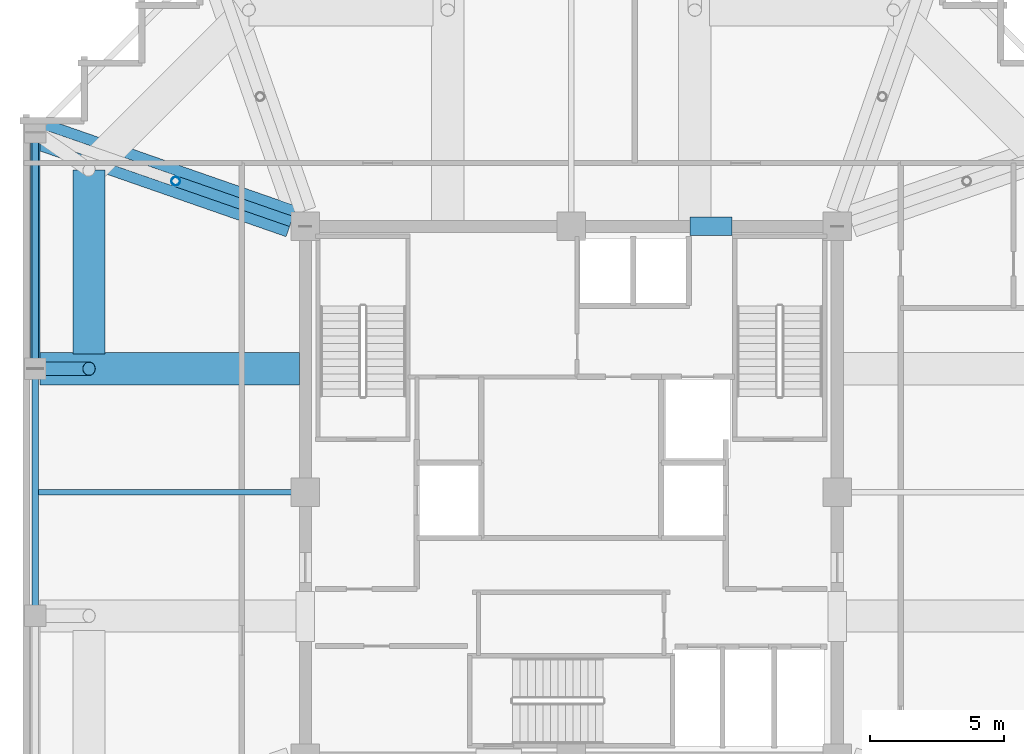
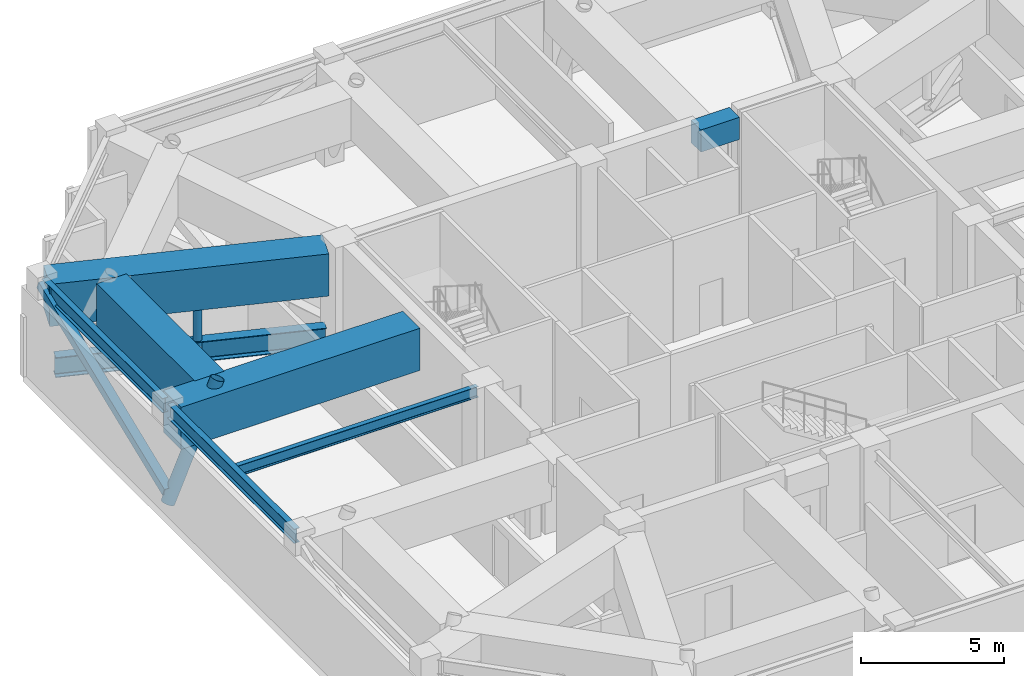
# One storey, part 4 of 14: 8 beams, 3 members.
"""IFC4 building model written with IfcOpenShell, lengths in metres."""

from ifc_helpers import new_model, si_unit, direction, frame, origin, origin_2d, place, context, subcontext, project, spatial, rectangle, hollow_rectangle, hollow_circle, i_section, extrude, material, material_profile, profile_set, type_object, element, save


model = new_model("IFC4")

# Units and contexts
model_context = context("Model", 3, precision=1e-05, world=origin(), true_north=direction((0.0, 1.0)))
body_context = subcontext(model_context, "Body", "Model", "MODEL_VIEW")
ifc_project = project(units=[si_unit("LENGTHUNIT", "METRE"), si_unit("AREAUNIT", "SQUARE_METRE"), si_unit("VOLUMEUNIT", "CUBIC_METRE"), si_unit("PLANEANGLEUNIT", "RADIAN"), si_unit("MASSUNIT", "GRAM", prefix="KILO")], contexts=[model_context])

# Site, building, storey
site_placement = place(None, origin())
site = spatial("IfcSite", under=ifc_project, at=site_placement, CompositionType="ELEMENT")
building_placement = place(site_placement, origin())
building = spatial("IfcBuilding", under=site, at=building_placement, Name="Kolvaren Belvedere", CompositionType="ELEMENT")
storey_placement = place(building_placement, frame((0.0, 0.0, 232.800048828125)))
storey = spatial("IfcBuildingStorey", under=building, at=storey_placement, Name="L68", CompositionType="ELEMENT", Elevation=232.800048828125)

# Beams
ifc_material_1 = material(Name="Structural steel ASTM A992 Grade 50", Category="steel")
ifc_material_profile_1 = material_profile(ifc_material_1, i_section(OverallWidth=0.39990234375, OverallDepth=0.85595703125, WebThickness=0.018310546875, FlangeThickness=0.029296875, FilletRadius=0.02490234375, at=origin_2d()), Name="W33X201")
ifc_profile_set_1 = profile_set([ifc_material_profile_1], Name="Structural steel ASTM A992 Grade 50")
beam_type_1 = type_object("IfcBeamType", Name="BM-GIRD-W33X201", PredefinedType="BEAM", material=ifc_profile_set_1)
beam_1_placement = place(storey_placement, frame((-10.41943359375, 10.080810546875, 0.47998046875), z_axis=(-0.944367258128, 0.328892811986, 0.0), x_axis=(-0.328892811986, -0.944367258128, 0.0)))
element("IfcBeam", 1, at=beam_1_placement, inside=storey, type_object=beam_type_1, Name="L68 Outrigger Truss Bottom Chord OB-8", PredefinedType="BEAM", context=body_context, shape_type="SweptSolid", body=[
    extrude(i_section(OverallWidth=0.39990234375, OverallDepth=0.85595703125, WebThickness=0.018310546875, FlangeThickness=0.029296875, FilletRadius=0.02490234375, at=origin_2d()), origin(), (0.0, 0.0, 1.0), 9.641845703125),
])
ifc_material_2 = material(Name="Structural steel ASTM A992 Grade 50", Category="steel")
ifc_material_profile_2 = material_profile(ifc_material_2, i_section(OverallWidth=0.19091796875, OverallDepth=0.4599609375, WebThickness=0.010009765625, FlangeThickness=0.01611328125, FilletRadius=0.014892578125, at=origin_2d()), Name="W18X55")
ifc_profile_set_2 = profile_set([ifc_material_profile_2], Name="Structural steel ASTM A992 Grade 50")
beam_type_2 = type_object("IfcBeamType", Name="BM-JOIST-W18X55", PredefinedType="BEAM", material=ifc_profile_set_2)
beam_2_placement = place(storey_placement, frame((-10.125, 0.0, 4.119873046875), z_axis=(-1.0, 0.0, 0.0), x_axis=(0.0, -1.0, 0.0)))
element("IfcBeam", 2, at=beam_2_placement, inside=storey, type_object=beam_type_2, Name="L68 West Centre Floor Beam", PredefinedType="BEAM", context=body_context, shape_type="SweptSolid", body=[
    extrude(i_section(OverallWidth=0.19091796875, OverallDepth=0.4599609375, WebThickness=0.010009765625, FlangeThickness=0.01611328125, FilletRadius=0.014892578125, at=origin_2d()), origin(), (0.0, 0.0, 1.0), 9.71044921875),
])
ifc_material_3 = material(Name="Concrete C60/75", Category="concrete")
ifc_material_profile_3 = material_profile(ifc_material_3, rectangle(XDim=0.699951171875, YDim=0.949951171875, at=origin_2d()), Name="RC 700X950")
ifc_profile_set_3 = profile_set([ifc_material_profile_3], Name="Concrete C60/75")
beam_type_3 = type_object("IfcBeamType", Name="BM-LINT-950", PredefinedType="LINTEL", material=ifc_profile_set_3)
beam_3_placement = place(storey_placement, frame((4.419921875, 9.89990234375, 3.875), z_axis=(1.0, 0.0, 0.0), x_axis=(0.0, 1.0, 0.0)))
element("IfcBeam", 3, at=beam_3_placement, inside=storey, type_object=beam_type_3, Name="L68 North Core Coupling Lintel", PredefinedType="LINTEL", context=body_context, shape_type="SweptSolid", body=[
    extrude(rectangle(XDim=0.699951171875, YDim=0.949951171875, at=origin_2d()), origin(), (0.0, 0.0, 1.0), 1.56005859375),
])
ifc_material_4 = material(Name="Structural steel ASTM A992 Grade 50", Category="steel")
ifc_material_profile_4 = material_profile(ifc_material_4, i_section(OverallWidth=0.22900390625, OverallDepth=0.612060546875, WebThickness=0.011962890625, FlangeThickness=0.01953125, FilletRadius=0.01806640625, at=origin_2d()), Name="W24X84")
ifc_profile_set_4 = profile_set([ifc_material_profile_4], Name="Structural steel ASTM A992 Grade 50")
beam_type_4 = type_object("IfcBeamType", Name="BM-SPAN-W24X84", PredefinedType="SPANDREL", material=ifc_profile_set_4)
beam_4_placement = place(storey_placement, frame((-19.949951171875, 13.219970703125, 4.0439453125), z_axis=(0.0, -1.0, 0.0), x_axis=(1.0, 0.0, 0.0)))
element("IfcBeam", 4, at=beam_4_placement, inside=storey, type_object=beam_type_4, Name="L68 Perimeter Spandrel W4-W3", PredefinedType="SPANDREL", context=body_context, shape_type="SweptSolid", body=[
    extrude(i_section(OverallWidth=0.22900390625, OverallDepth=0.612060546875, WebThickness=0.011962890625, FlangeThickness=0.01953125, FilletRadius=0.01806640625, at=origin_2d()), origin(), (0.0, 0.0, 1.0), 8.43994140625),
])
beam_5_placement = place(storey_placement, frame((-19.949951171875, 4.419921875, 4.0439453125), z_axis=(0.0, -1.0, 0.0), x_axis=(1.0, 0.0, 0.0)))
element("IfcBeam", 5, at=beam_5_placement, inside=storey, type_object=beam_type_4, Name="L68 Perimeter Spandrel W3-W2", PredefinedType="SPANDREL", context=body_context, shape_type="SweptSolid", body=[
    extrude(i_section(OverallWidth=0.22900390625, OverallDepth=0.612060546875, WebThickness=0.011962890625, FlangeThickness=0.01953125, FilletRadius=0.01806640625, at=origin_2d()), origin(), (0.0, 0.0, 1.0), 8.83984375),
])
ifc_material_5 = material(Name="Concrete C50/60", Category="concrete")
ifc_material_profile_5 = material_profile(ifc_material_5, rectangle(XDim=1.199951171875, YDim=1.800048828125, at=origin_2d()), Name="RC 1200X1800")
ifc_profile_set_5 = profile_set([ifc_material_profile_5], Name="Concrete C50/60")
beam_type_5 = type_object("IfcBeamType", Name="BM-TG-1800", PredefinedType="BEAM", material=ifc_profile_set_5)
beam_6_placement = place(storey_placement, frame((-17.949951171875, 12.0, 3.449951171875), z_axis=(0.0, -1.0, 0.0), x_axis=(1.0, 0.0, 0.0)))
element("IfcBeam", 6, at=beam_6_placement, inside=storey, type_object=beam_type_5, Name="L68 Step Transfer Ring Girder W4-W3", PredefinedType="BEAM", context=body_context, shape_type="SweptSolid", body=[
    extrude(rectangle(XDim=1.199951171875, YDim=1.800048828125, at=origin_2d()), origin(), (0.0, 0.0, 1.0), 6.85009765625),
])
beam_7_placement = place(storey_placement, frame((-10.125, 4.60009765625, 3.449951171875), z_axis=(-1.0, 0.0, 0.0), x_axis=(0.0, -1.0, 0.0)))
element("IfcBeam", 7, at=beam_7_placement, inside=storey, type_object=beam_type_5, Name="L68 West Radial Girder P", PredefinedType="BEAM", context=body_context, shape_type="SweptSolid", body=[
    extrude(rectangle(XDim=1.199951171875, YDim=1.800048828125, at=origin_2d()), origin(), (0.0, 0.0, 1.0), 9.64501953125),
])
beam_8_placement = place(storey_placement, frame((-10.41943359375, 10.080810546875, 3.449951171875), z_axis=(-0.944365399758, 0.328898147971, 0.0), x_axis=(-0.328898147971, -0.944365399758, 0.0)))
element("IfcBeam", 8, at=beam_8_placement, inside=storey, type_object=beam_type_5, Name="L68 Corner Core-to-Perimeter Girder CC4-W4", PredefinedType="BEAM", context=body_context, shape_type="SweptSolid", body=[
    extrude(rectangle(XDim=1.199951171875, YDim=1.800048828125, at=origin_2d()), origin(), (0.0, 0.0, 1.0), 9.931884765625),
])

# Members
ifc_material_6 = material(Name="Structural steel ASTM A500 Grade C", Category="steel")
ifc_material_profile_6 = material_profile(ifc_material_6, hollow_rectangle(XDim=0.35595703125, YDim=0.35595703125, WallThickness=0.01171875, at=origin_2d()), Name="HSS14X14X1/2")
ifc_profile_set_6 = profile_set([ifc_material_profile_6], Name="Structural steel ASTM A500 Grade C")
member_type_1 = type_object("IfcMemberType", Name="MB-BELT-BRACE", PredefinedType="BRACE", material=ifc_profile_set_6)
member_1_placement = place(storey_placement, frame((-19.949951171875, 4.60009765625, 0.47998046875), z_axis=(0.0, 0.928473137817, 0.371399558902), x_axis=(-1.0, 0.0, 0.0)))
element("IfcMember", 9, at=member_1_placement, inside=storey, type_object=member_type_1, Name="L68 Perimeter Belt Truss Brace BT-6", PredefinedType="BRACE", context=body_context, shape_type="SweptSolid", body=[
    extrude(hollow_rectangle(XDim=0.35595703125, YDim=0.35595703125, WallThickness=0.01171875, at=origin_2d()), origin(), (0.0, 0.0, 1.0), 9.477783203125),
])
ifc_material_7 = material(Name="Structural steel ASTM A500 Grade C", Category="steel")
ifc_material_profile_7 = material_profile(ifc_material_7, hollow_circle(Radius=0.162109375, WallThickness=0.01171875, at=origin_2d()), Name="HSS12.750X0.500")
ifc_profile_set_7 = profile_set([ifc_material_profile_7], Name="Structural steel ASTM A500 Grade C")
member_type_2 = type_object("IfcMemberType", Name="MB-CAN-POST", PredefinedType="POST", material=ifc_profile_set_7)
member_2_placement = place(storey_placement, frame((-14.72412109375, 11.580078125, 0.47998046875), z_axis=(0.0, 0.0, 1.0), x_axis=(1.0, 0.0, 0.0)))
element("IfcMember", 10, at=member_2_placement, inside=storey, type_object=member_type_2, Name="L68 Outrigger Portal Post OP-8", PredefinedType="POST", context=body_context, shape_type="SweptSolid", body=[
    extrude(hollow_circle(Radius=0.162109375, WallThickness=0.01171875, at=origin_2d()), origin(), (0.0, 0.0, 1.0), 3.52001953125),
])
ifc_material_8 = material(Name="Structural steel ASTM A500 Grade C", Category="steel")
ifc_material_profile_8 = material_profile(ifc_material_8, hollow_circle(Radius=0.25390625, WallThickness=0.01171875, at=origin_2d()), Name="HSS20.000X0.500")
ifc_profile_set_8 = profile_set([ifc_material_profile_8], Name="Structural steel ASTM A500 Grade C")
member_type_3 = type_object("IfcMemberType", Name="MB-WAIST-STRUT", PredefinedType="STRUT", material=ifc_profile_set_8)
member_3_placement = place(storey_placement, frame((-19.949951171875, 4.60009765625, 0.0), z_axis=(0.398736790245, 0.0, 0.917065413209), x_axis=(0.0, 1.0, 0.0)))
element("IfcMember", 11, at=member_3_placement, inside=storey, type_object=member_type_3, Name="L68 Inclined Waist Transition Strut W3", PredefinedType="STRUT", context=body_context, shape_type="SweptSolid", body=[
    extrude(hollow_circle(Radius=0.25390625, WallThickness=0.01171875, at=origin_2d()), origin(), (0.0, 0.0, 1.0), 5.015869140625),
])

save(model, "model.ifc")
